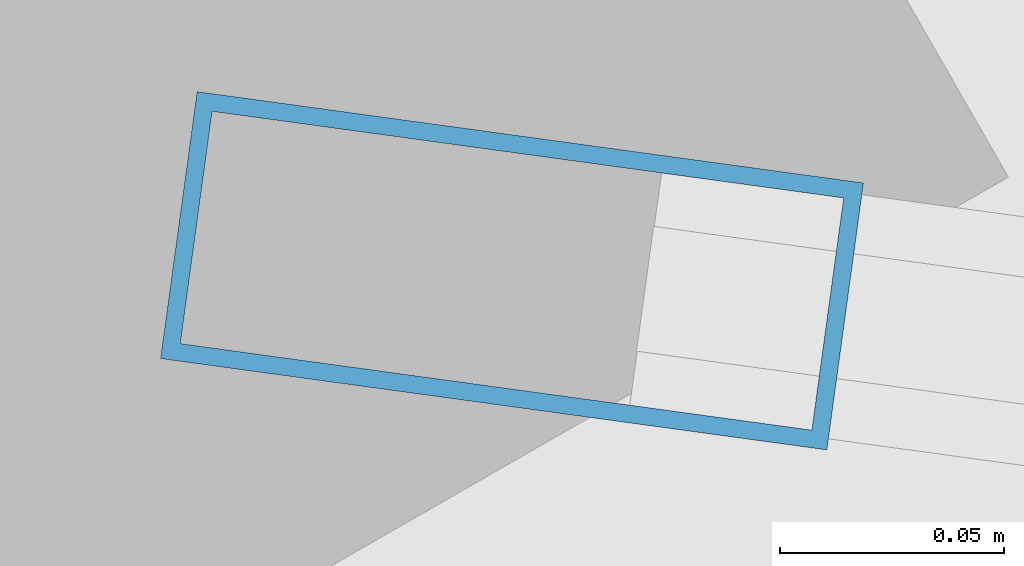
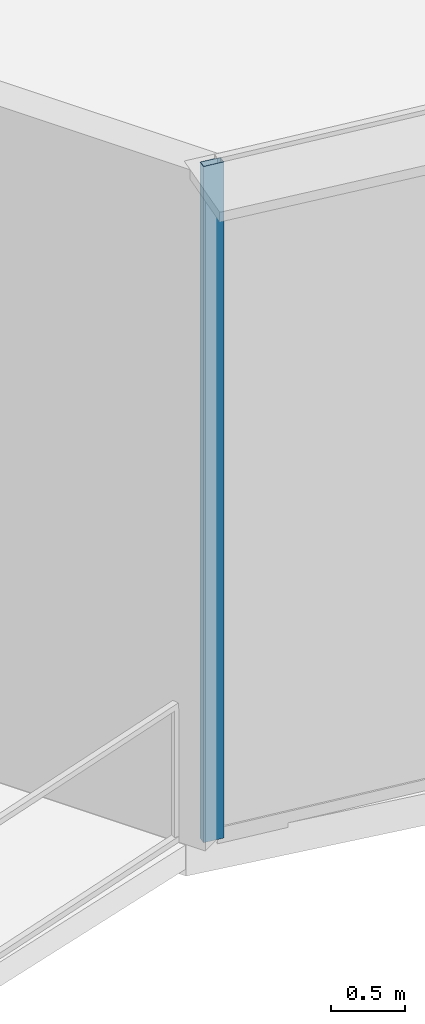
# One storey, part 2 of 40: 1 member, 1 element without a shape of its own.
"""IFC4 building model written with IfcOpenShell, lengths in metres."""

from ifc_helpers import new_model, si_unit, direction, frame, origin, origin_2d, place, context, subcontext, project, spatial, hollow_rectangle, extrude, source, transform, mapped, material, layer, layer_set, material_profile, profile_set, type_object, element, aggregate, save


model = new_model("IFC4")

# Units and contexts
model_context = context("Model", 3, precision=1e-05, world=origin(), true_north=direction((0.0, 1.0)))
body_context = subcontext(model_context, "Body", "Model", "MODEL_VIEW")
ifc_project = project(units=[si_unit("LENGTHUNIT", "METRE"), si_unit("AREAUNIT", "SQUARE_METRE"), si_unit("VOLUMEUNIT", "CUBIC_METRE"), si_unit("PLANEANGLEUNIT", "RADIAN"), si_unit("MASSUNIT", "GRAM", prefix="KILO"), si_unit("THERMODYNAMICTEMPERATUREUNIT", "KELVIN"), si_unit("POWERUNIT", "WATT")], contexts=[model_context])

# Site, building, storey
site_placement = place(None, origin())
site = spatial("IfcSite", under=ifc_project, at=site_placement, CompositionType="ELEMENT")
building_placement = place(site_placement, origin())
building = spatial("IfcBuilding", under=site, at=building_placement, Name="Yunzhuo Pagoda Commons", CompositionType="ELEMENT")
storey_placement = place(building_placement, frame((0.0, 0.0, 170.31005859375)))
storey = spatial("IfcBuildingStorey", under=building, at=storey_placement, Name="L43", CompositionType="ELEMENT", Elevation=170.31005859375)

# Curtain wall, member
ifc_material = material(Name="Anodized aluminium 6063-T6", Category="aluminium")
ifc_layer = layer(ifc_material, 0.14990234375)
ifc_layer_set = layer_set([ifc_layer], Name="Anodized aluminium 6063-T6")
curtain_wall_type = type_object("IfcCurtainWallType", Name="CW-MID Mid-Zone Ribbon Curtain Wall", PredefinedType="NOTDEFINED", material=ifc_layer_set)
curtain_wall_placement = place(storey_placement, origin())
curtain_wall = element("IfcCurtainWall", 1, at=curtain_wall_placement, inside=storey, type_object=curtain_wall_type, Name="L43 curtain wall CW-L43-F1B1", PredefinedType="NOTDEFINED")
ifc_material_profile = material_profile(ifc_material, hollow_rectangle(XDim=0.06005859375, YDim=0.14990234375, WallThickness=0.00390625, at=origin_2d()), Name="Anodized aluminium 6063-T6")
ifc_profile_set = profile_set([ifc_material_profile], Name="Anodized aluminium 6063-T6")
member_type = type_object("IfcMemberType", Name="CW-MID-M Mullion RHS 150x60x4", PredefinedType="MULLION", material=ifc_profile_set)
shared_shape = source(origin(), body_context, "Body", "SweptSolid", [
    extrude(hollow_rectangle(XDim=0.06005859375, YDim=0.14990234375, WallThickness=0.00390625, at=origin_2d()), origin(), (0.0, 0.0, 1.0), 5.56982421875),
])
member_placement = place(storey_placement, frame((13.1884765625, 16.8642578125, 0.0), z_axis=(0.0, 0.0, 1.0), x_axis=(0.135767265879, 0.990740757976, 0.0)))
member = element("IfcMember", 2, at=member_placement, type_object=member_type, Name="CW mullion 1", PredefinedType="MULLION", context=body_context, shape_type="MappedRepresentation", body=[
    mapped(shared_shape, transform((0.0, 0.0, 0.0), scale=1.0)),
])
aggregate(curtain_wall, [member])

save(model, "model.ifc")
